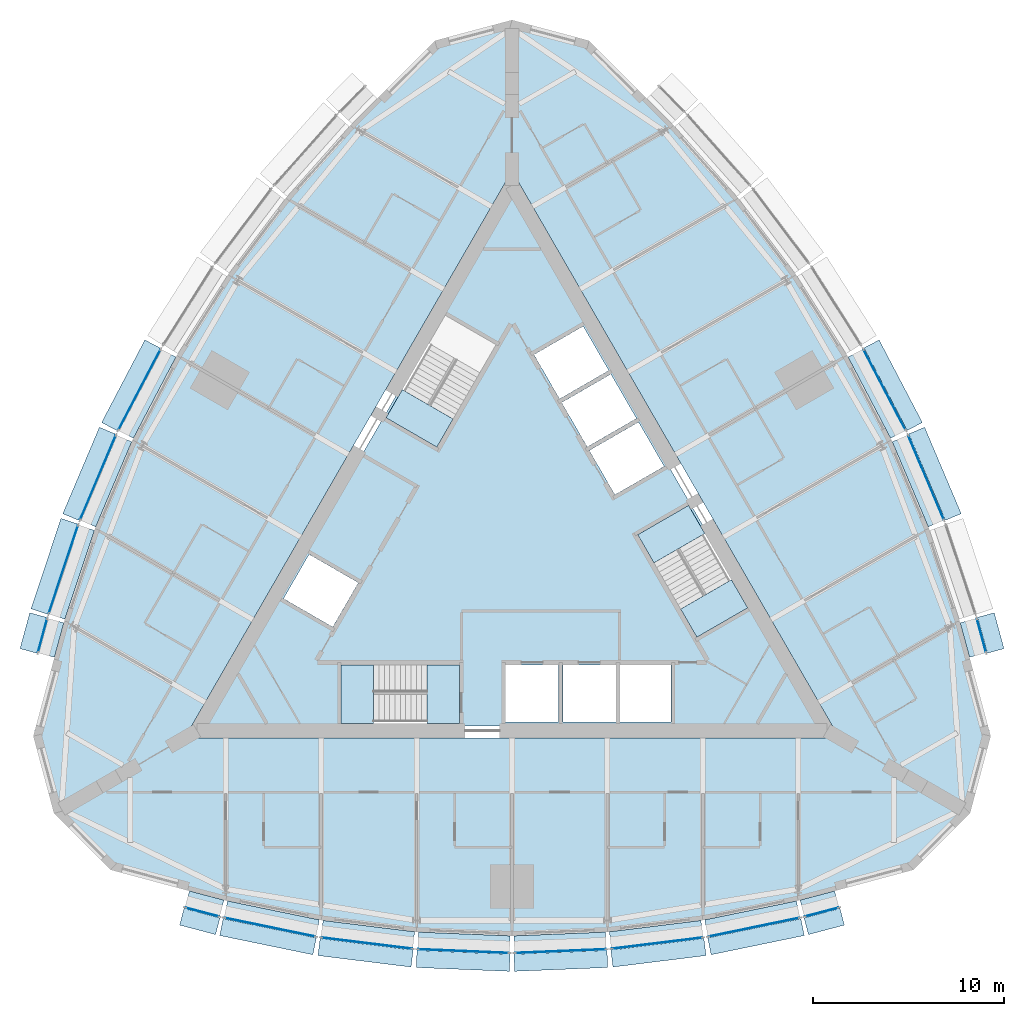
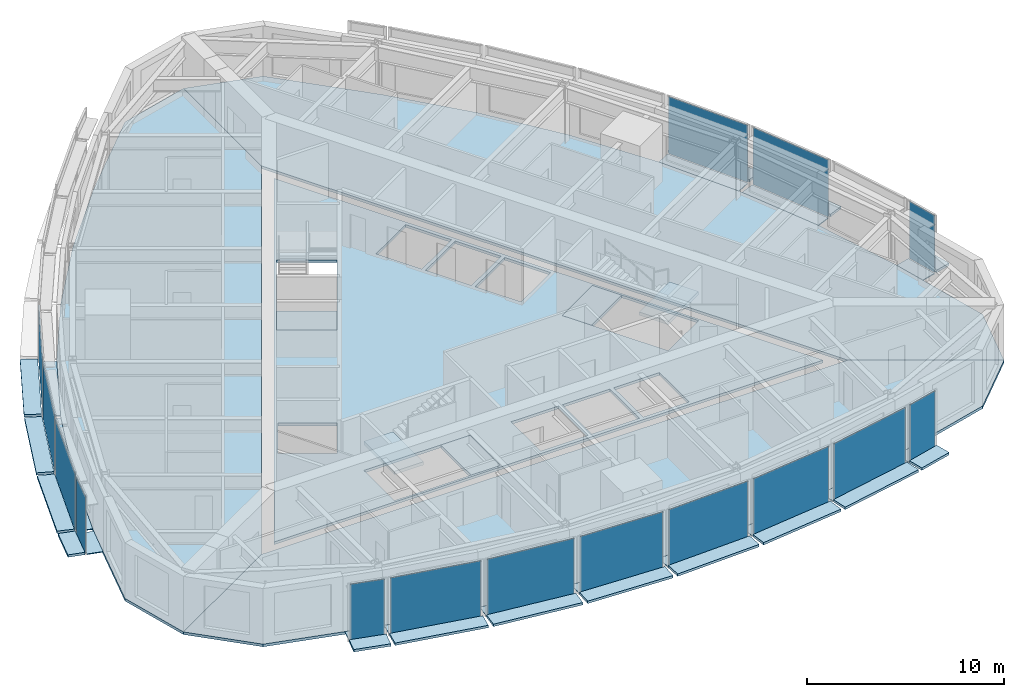
# One storey, part 7 of 15: 45 plates, 9 slabs, 18 elements without a shape of their own.
"""IFC4 building model written with IfcOpenShell, lengths in metres."""

import ifcopenshell
import ifcopenshell.guid

model = None  # the IFC model being written
_history = None  # IfcOwnerHistory: only IFC2X3 demands one
_inside = {}  # id of a spatial element -> (the spatial element, [elements in it])
_under = {}  # id of a project, library or spatial element -> (it, [spatial elements below it])
_declared = {}  # id of a project -> (the project, [libraries it declares])
_typed = {}  # id of a type object -> (the type object, [elements of that type])
_made_of = {}  # id of a material, layer set ... -> (it, [elements and type objects made of it])


def new_model(schema):
    """Start an empty IFC model of exactly this schema.

    Asked for "IFC4X3", IfcOpenShell would pick the latest addendum, in which some entities
    have other attributes; the version numbers below select the first issue.
    IFC2X3 requires an IfcOwnerHistory on every rooted entity: one is made here for all.
    """
    global model, _history
    if schema == "IFC4X3":
        model = ifcopenshell.file(schema_version=(4, 3, 0, 0))
    else:
        model = ifcopenshell.file(schema=schema)
    _inside.clear()
    _under.clear()
    _declared.clear()
    _typed.clear()
    _made_of.clear()
    _history = None
    if model.schema == "IFC2X3":
        org = make("IfcOrganization", Name="unknown")
        user = make(
            "IfcPersonAndOrganization",
            ThePerson=make("IfcPerson", FamilyName="unknown"),
            TheOrganization=org,
        )
        app = make(
            "IfcApplication",
            ApplicationDeveloper=org,
            Version="unknown",
            ApplicationFullName="unknown",
            ApplicationIdentifier="unknown",
        )
        _history = make(
            "IfcOwnerHistory",
            OwningUser=user,
            OwningApplication=app,
            ChangeAction="ADDED",
            CreationDate=0,
        )
    return model


def make(cls, **values):
    """One entity of the class cls with the attributes given. An attribute that is None is left unset."""
    return model.create_entity(
        cls, **{name: value for name, value in values.items() if value is not None}
    )


def rooted(cls, **values):
    """An entity with a GlobalId (a new one), such as an element, a storey or a relation."""
    return make(cls, GlobalId=ifcopenshell.guid.new(), OwnerHistory=_history, **values)


def si_unit(unit_type, name, prefix=None):
    """IfcSIUnit, for example si_unit("LENGTHUNIT", "METRE", prefix="MILLI")."""
    return make("IfcSIUnit", UnitType=unit_type, Prefix=prefix, Name=name)


def assignment(units):
    """IfcUnitAssignment: the units of a project."""
    return None if units is None else make("IfcUnitAssignment", Units=units)


def point(xyz):
    """IfcCartesianPoint."""
    return None if xyz is None else make("IfcCartesianPoint", Coordinates=xyz)


def direction(xyz):
    """IfcDirection."""
    return None if xyz is None else make("IfcDirection", DirectionRatios=xyz)


def frame(location, z_axis=None, x_axis=None):
    """IfcAxis2Placement3D, a coordinate frame: its origin and axes. An axis left out is left unset."""
    return make(
        "IfcAxis2Placement3D",
        Location=point(location),
        Axis=direction(z_axis),
        RefDirection=direction(x_axis),
    )


def frame_2d(location, x_axis=None):
    """IfcAxis2Placement2D, a coordinate frame in the plane: its origin and x axis."""
    return make(
        "IfcAxis2Placement2D", Location=point(location), RefDirection=direction(x_axis)
    )


def origin():
    """The frame at (0, 0, 0) with its axes left unset."""
    return frame((0.0, 0.0, 0.0))


def origin_2d():
    """The frame at (0, 0) in the plane with its x axis left unset."""
    return frame_2d((0.0, 0.0))


def place(relative_to, where):
    """IfcLocalPlacement: puts the frame where relative to a parent placement (None: the world)."""
    return make(
        "IfcLocalPlacement", PlacementRelTo=relative_to, RelativePlacement=where
    )


def context(
    kind, dimensions, precision=None, world=None, true_north=None, identifier=None
):
    """IfcGeometricRepresentationContext, for example the 3D "Model" context."""
    return make(
        "IfcGeometricRepresentationContext",
        ContextIdentifier=identifier,
        ContextType=kind,
        CoordinateSpaceDimension=dimensions,
        Precision=precision,
        WorldCoordinateSystem=world,
        TrueNorth=true_north,
    )


def subcontext(parent, identifier, kind, view, scale=None):
    """IfcGeometricRepresentationSubContext, for example "Body" below "Model"."""
    return make(
        "IfcGeometricRepresentationSubContext",
        ContextIdentifier=identifier,
        ContextType=kind,
        ParentContext=parent,
        TargetScale=scale,
        TargetView=view,
    )


def project(units=None, contexts=None):
    """IfcProject with its units and contexts."""
    return rooted(
        "IfcProject",
        Name="project",
        RepresentationContexts=contexts,
        UnitsInContext=assignment(units),
    )


def spatial(cls, under=None, at=None, **own):
    """A site, building, storey or space (cls), placed at a placement, below another one or the project."""
    s = rooted(cls, ObjectPlacement=at, **own)
    if under is not None:
        _under.setdefault(under.id(), (under, []))[1].append(s)
    return s


def polyline(points):
    """IfcPolyline through the points."""
    return make("IfcPolyline", Points=[point(p) for p in points])


def profile(cls, at=None, kind="AREA", **sizes):
    """A parametric profile (cls). Its sizes go by their IFC names, for example OverallWidth=200.0."""
    return make(cls, ProfileType=kind, Position=at, **sizes)


def rectangle(**sizes):
    """IfcRectangleProfileDef."""
    return profile("IfcRectangleProfileDef", **sizes)


def outline(outer, holes=None, kind="AREA"):
    """IfcArbitraryClosedProfileDef: a profile drawn as a closed curve; with holes, ...WithVoids."""
    if holes is None:
        return make("IfcArbitraryClosedProfileDef", ProfileType=kind, OuterCurve=outer)
    return make(
        "IfcArbitraryProfileDefWithVoids",
        ProfileType=kind,
        OuterCurve=outer,
        InnerCurves=holes,
    )


def extrude(swept, where, along, depth):
    """IfcExtrudedAreaSolid: the profile swept, set in the frame where, extruded along a direction by depth."""
    return make(
        "IfcExtrudedAreaSolid",
        SweptArea=swept,
        Position=where,
        ExtrudedDirection=direction(along),
        Depth=depth,
    )


def shape(context_of_items, identifier, shape_type, items):
    """IfcShapeRepresentation: the items that make up one representation, for example the "Body"."""
    return make(
        "IfcShapeRepresentation",
        ContextOfItems=context_of_items,
        RepresentationIdentifier=identifier,
        RepresentationType=shape_type,
        Items=items,
    )


def material(Name=None, Category=None):
    """IfcMaterial."""
    return make("IfcMaterial", Name=Name, Category=Category)


def layer(
    of_material, thickness, ventilated=None, Name=None, Category=None, Priority=None
):
    """IfcMaterialLayer: one layer of a wall or slab, of a material (None: an air gap)."""
    return make(
        "IfcMaterialLayer",
        Material=of_material,
        LayerThickness=thickness,
        IsVentilated=ventilated,
        Name=Name,
        Category=Category,
        Priority=Priority,
    )


def layer_set(layers, Name=None):
    """IfcMaterialLayerSet."""
    return make("IfcMaterialLayerSet", MaterialLayers=layers, LayerSetName=Name)


def made_of(thing, what):
    """Note that an element or type object is made of a material, layer set ...; save() writes the relation."""
    if what is not None:
        _made_of.setdefault(what.id(), (what, []))[1].append(thing)
    return thing


def type_object(cls, material=None, **own):
    """A type object (cls), such as IfcWallType, which elements share."""
    return made_of(rooted(cls, **own), material)


def element(
    cls,
    number,
    at=None,
    inside=None,
    cuts=None,
    type_object=None,
    material=None,
    context=None,
    identifier="Body",
    shape_type=None,
    held_by="IfcProductDefinitionShape",
    body=None,
    shapes=None,
    **own,
):
    """One element of the class cls, such as IfcWall. Its Tag is "e" and its number.

    at: its placement. inside: the storey or other place that contains it. cuts: it is an
    opening in that element (IfcRelVoidsElement). A single representation is given by context,
    identifier, shape_type and body (its items); several are given by shapes. held_by: the class
    of the entity that holds the representations. save() writes the other relations.
    """
    e = rooted(cls, Tag="e%d" % number, ObjectPlacement=at, **own)
    if body is not None:
        shapes = [shape(context, identifier, shape_type, body)]
    if shapes is not None:
        e.Representation = make(held_by, Representations=shapes)
    if inside is not None:
        _inside.setdefault(inside.id(), (inside, []))[1].append(e)
    if cuts is not None:
        rooted(
            "IfcRelVoidsElement", RelatingBuildingElement=cuts, RelatedOpeningElement=e
        )
    if type_object is not None:
        _typed.setdefault(type_object.id(), (type_object, []))[1].append(e)
    return made_of(e, material)


def aggregate(whole, parts):
    """IfcRelAggregates: a whole, such as a stair, and the parts it consists of."""
    return rooted("IfcRelAggregates", RelatingObject=whole, RelatedObjects=parts)


def save(model, path):
    """Write the relations noted so far, then the file.

    IfcRelAggregates (storeys below a building ...), IfcRelContainedInSpatialStructure (elements
    in a storey), IfcRelDefinesByType, IfcRelAssociatesMaterial and IfcRelDeclares: one each for
    every whole, place, type object, material and project.
    """
    for whole, parts in _under.values():
        aggregate(whole, parts)
    for where, things in _inside.values():
        rooted(
            "IfcRelContainedInSpatialStructure",
            RelatedElements=things,
            RelatingStructure=where,
        )
    for kind, things in _typed.values():
        rooted("IfcRelDefinesByType", RelatedObjects=things, RelatingType=kind)
    for what, things in _made_of.values():
        rooted("IfcRelAssociatesMaterial", RelatedObjects=things, RelatingMaterial=what)
    for by, libraries in _declared.values():
        rooted("IfcRelDeclares", RelatingContext=by, RelatedDefinitions=libraries)
    model.write(path)


model = new_model("IFC4")

# Units and contexts
model_context = context("Model", 3, precision=1e-05, world=origin(), true_north=direction((0.0, 1.0)))
body_context = subcontext(model_context, "Body", "Model", "MODEL_VIEW")
ifc_project = project(units=[si_unit("LENGTHUNIT", "METRE"), si_unit("AREAUNIT", "SQUARE_METRE"), si_unit("VOLUMEUNIT", "CUBIC_METRE"), si_unit("PLANEANGLEUNIT", "RADIAN"), si_unit("MASSUNIT", "GRAM", prefix="KILO")], contexts=[model_context])

# Site, building, storey
site_placement = place(None, origin())
site = spatial("IfcSite", under=ifc_project, at=site_placement, CompositionType="ELEMENT")
building_placement = place(site_placement, origin())
building = spatial("IfcBuilding", under=site, at=building_placement, Name="Trikona Tower", CompositionType="ELEMENT")
storey_placement = place(building_placement, frame((0.0, 0.0, 226.10009765625)))
storey = spatial("IfcBuildingStorey", under=building, at=storey_placement, Name="L60", CompositionType="ELEMENT", Elevation=226.10009765625)

# Plates
ifc_material_1 = material(Name="Aluminium bar grating", Category="aluminium")
ifc_layer_1 = layer(ifc_material_1, 0.050048828125)
ifc_layer_set_1 = layer_set([ifc_layer_1], Name="Cavity catwalk grating")
plate_type_1 = type_object("IfcPlateType", Name="Cavity catwalk grating", PredefinedType="USERDEFINED", material=ifc_layer_set_1)
plate_1_placement = place(storey_placement, frame((-16.10693359375, -18.5673828125, -0.05029296875), z_axis=(0.0, 0.0, 1.0), x_axis=(0.966993038714, -0.254802792527, 0.0)))
element("IfcPlate", 1, at=plate_1_placement, inside=storey, type_object=plate_type_1, Name="Cavity catwalk L60-00", ObjectType="CATWALK GRATING", PredefinedType="USERDEFINED", context=body_context, shape_type="SweptSolid", body=[
    extrude(rectangle(XDim=1.868408203125, YDim=0.840087890625, at=origin_2d()), origin(), (0.0, 0.0, 1.0), 0.050048828125),
])
plate_2_placement = place(storey_placement, frame((-12.584716796875, -19.35107421875, -0.05029296875), z_axis=(0.0, 0.0, 1.0), x_axis=(0.979457514864, -0.201650629992, 0.0)))
element("IfcPlate", 2, at=plate_2_placement, inside=storey, type_object=plate_type_1, Name="Cavity catwalk L60-01", ObjectType="CATWALK GRATING", PredefinedType="USERDEFINED", context=body_context, shape_type="SweptSolid", body=[
    extrude(rectangle(XDim=4.90478515625, YDim=0.840087890625, at=origin_2d()), origin(), (0.0, 0.0, 1.0), 0.050048828125),
])
plate_3_placement = place(storey_placement, frame((-7.551513671875, -20.179931640625, -0.05029296875), z_axis=(0.0, 0.0, 1.0), x_axis=(0.992455266199, -0.122607277901, 0.0)))
element("IfcPlate", 3, at=plate_3_placement, inside=storey, type_object=plate_type_1, Name="Cavity catwalk L60-02", ObjectType="CATWALK GRATING", PredefinedType="USERDEFINED", context=body_context, shape_type="SweptSolid", body=[
    extrude(rectangle(XDim=4.837890625, YDim=0.840087890625, at=origin_2d()), origin(), (0.0, 0.0, 1.0), 0.050048828125),
])
for number, where, z_axis, x_axis, name in (
    (4, (-2.517333984375, -20.594482421875, -0.05029296875), (0.0, 0.0, 1.0), (0.999153186307, -0.041144991109, 0.0), "Cavity catwalk L60-03"),
    (5, (2.517333984375, -20.594482421875, -0.05029296875), (0.0, 0.0, 1.0), (0.999153186307, 0.041144991109, 0.0), "Cavity catwalk L60-04"),
):
    element("IfcPlate", number, at=place(storey_placement, frame(where, z_axis=z_axis, x_axis=x_axis)), inside=storey, type_object=plate_type_1, Name=name, ObjectType="CATWALK GRATING", PredefinedType="USERDEFINED", context=body_context, shape_type="SweptSolid", body=[
        extrude(rectangle(XDim=4.80419921875, YDim=0.840087890625, at=origin_2d()), origin(), (0.0, 0.0, 1.0), 0.050048828125),
    ])
plate_4_placement = place(storey_placement, frame((7.551513671875, -20.179931640625, -0.05029296875), z_axis=(0.0, 0.0, 1.0), x_axis=(0.992455266199, 0.122607277901, 0.0)))
element("IfcPlate", 6, at=plate_4_placement, inside=storey, type_object=plate_type_1, Name="Cavity catwalk L60-05", ObjectType="CATWALK GRATING", PredefinedType="USERDEFINED", context=body_context, shape_type="SweptSolid", body=[
    extrude(rectangle(XDim=4.837890625, YDim=0.840087890625, at=origin_2d()), origin(), (0.0, 0.0, 1.0), 0.050048828125),
])
plate_5_placement = place(storey_placement, frame((12.584716796875, -19.35107421875, -0.05029296875), z_axis=(0.0, 0.0, 1.0), x_axis=(0.979457514864, 0.201650629992, 0.0)))
element("IfcPlate", 7, at=plate_5_placement, inside=storey, type_object=plate_type_1, Name="Cavity catwalk L60-06", ObjectType="CATWALK GRATING", PredefinedType="USERDEFINED", context=body_context, shape_type="SweptSolid", body=[
    extrude(rectangle(XDim=4.90478515625, YDim=0.840087890625, at=origin_2d()), origin(), (0.0, 0.0, 1.0), 0.050048828125),
])
for number, where, z_axis, x_axis, name in (
    (8, (16.10693359375, -18.5673828125, -0.05029296875), (0.0, 0.0, 1.0), (0.966993038714, 0.254802792527, 0.0), "Cavity catwalk L60-07"),
    (9, (24.13330078125, -4.665283203125, -0.05029296875), (0.0, 0.0, 1.0), (-0.262822408229, 0.964844226667, 0.0), "Cavity catwalk L60-12"),
):
    element("IfcPlate", number, at=place(storey_placement, frame(where, z_axis=z_axis, x_axis=x_axis)), inside=storey, type_object=plate_type_1, Name=name, ObjectType="CATWALK GRATING", PredefinedType="USERDEFINED", context=body_context, shape_type="SweptSolid", body=[
        extrude(rectangle(XDim=1.868408203125, YDim=0.840087890625, at=origin_2d()), origin(), (0.0, 0.0, 1.0), 0.050048828125),
    ])
plate_6_placement = place(storey_placement, frame((21.252197265625, 3.55029296875, -0.05029296875), z_axis=(0.0, 0.0, 1.0), x_axis=(-0.390051437015, 0.920793069306, 0.0)))
element("IfcPlate", 10, at=plate_6_placement, inside=storey, type_object=plate_type_1, Name="Cavity catwalk L60-14", ObjectType="CATWALK GRATING", PredefinedType="USERDEFINED", context=body_context, shape_type="SweptSolid", body=[
    extrude(rectangle(XDim=4.837890625, YDim=0.840087890625, at=origin_2d()), origin(), (0.0, 0.0, 1.0), 0.050048828125),
])
for number, where, z_axis, x_axis, name in (
    (11, (19.093994140625, 8.1171875, -0.05029296875), (0.0, 0.0, 1.0), (-0.463951716224, 0.885860488459, 0.0), "Cavity catwalk L60-15"),
    (12, (-19.093994140625, 8.1171875, -0.05029296875), (0.0, 0.0, 1.0), (-0.463951716224, -0.885860488459, 0.0), "Cavity catwalk L60-28"),
):
    element("IfcPlate", number, at=place(storey_placement, frame(where, z_axis=z_axis, x_axis=x_axis)), inside=storey, type_object=plate_type_1, Name=name, ObjectType="CATWALK GRATING", PredefinedType="USERDEFINED", context=body_context, shape_type="SweptSolid", body=[
        extrude(rectangle(XDim=4.80419921875, YDim=0.840087890625, at=origin_2d()), origin(), (0.0, 0.0, 1.0), 0.050048828125),
    ])
plate_7_placement = place(storey_placement, frame((-21.252197265625, 3.55029296875, -0.05029296875), z_axis=(0.0, 0.0, 1.0), x_axis=(-0.390051437015, -0.920793069306, 0.0)))
element("IfcPlate", 13, at=plate_7_placement, inside=storey, type_object=plate_type_1, Name="Cavity catwalk L60-29", ObjectType="CATWALK GRATING", PredefinedType="USERDEFINED", context=body_context, shape_type="SweptSolid", body=[
    extrude(rectangle(XDim=4.837890625, YDim=0.840087890625, at=origin_2d()), origin(), (0.0, 0.0, 1.0), 0.050048828125),
])
plate_8_placement = place(storey_placement, frame((-23.05078125, -1.22314453125, -0.05029296875), z_axis=(0.0, 0.0, 1.0), x_axis=(-0.315092532747, -0.949060954737, 0.0)))
element("IfcPlate", 14, at=plate_8_placement, inside=storey, type_object=plate_type_1, Name="Cavity catwalk L60-30", ObjectType="CATWALK GRATING", PredefinedType="USERDEFINED", context=body_context, shape_type="SweptSolid", body=[
    extrude(rectangle(XDim=4.90478515625, YDim=0.840087890625, at=origin_2d()), origin(), (0.0, 0.0, 1.0), 0.050048828125),
])
plate_9_placement = place(storey_placement, frame((-24.13330078125, -4.665283203125, -0.05029296875), z_axis=(0.0, 0.0, 1.0), x_axis=(-0.262822408229, -0.964844226667, 0.0)))
element("IfcPlate", 15, at=plate_9_placement, inside=storey, type_object=plate_type_1, Name="Cavity catwalk L60-31", ObjectType="CATWALK GRATING", PredefinedType="USERDEFINED", context=body_context, shape_type="SweptSolid", body=[
    extrude(rectangle(XDim=1.868408203125, YDim=0.840087890625, at=origin_2d()), origin(), (0.0, 0.0, 1.0), 0.050048828125),
])

# Slabs
ifc_material_2 = material(Name="Concrete f'c 5000 psi lightweight on composite steel deck", Category="concrete")
ifc_layer_2 = layer(ifc_material_2, 0.1650390625)
ifc_layer_set_2 = layer_set([ifc_layer_2], Name="Composite floor slab 165")
slab_type_1 = type_object("IfcSlabType", Name="Composite floor slab 165", PredefinedType="FLOOR", material=ifc_layer_set_2)
slab_1_placement = place(storey_placement, frame((0.0, 0.0, -0.1650390625)))
element("IfcSlab", 16, at=slab_1_placement, inside=storey, type_object=slab_type_1, Name="Floor slab L60 core", PredefinedType="FLOOR", context=body_context, shape_type="SweptSolid", body=[
    extrude(outline(polyline([(-16.06689453125, -9.2763671875), (16.06689453125, -9.2763671875), (0.0, 18.552490234375), (-16.06689453125, -9.2763671875)]), holes=[polyline([(6.587158203125, 0.7431640625), (9.687255859375, -4.626220703125), (12.35009765625, -3.088623046875), (9.250244140625, 2.28076171875), (6.587158203125, 0.7431640625)]), polyline([(5.659912109375, -6.086181640625), (5.659912109375, -9.06640625), (8.340087890625, -9.06640625), (8.340087890625, -6.086181640625), (5.659912109375, -6.086181640625)]), polyline([(6.631591796875, 6.646240234375), (4.05078125, 5.15625), (5.390869140625, 2.835205078125), (7.9716796875, 4.3251953125), (6.631591796875, 6.646240234375)]), polyline([(6.521484375, 6.8369140625), (5.181640625, 9.15771484375), (2.600830078125, 7.667724609375), (3.94091796875, 5.3466796875), (6.521484375, 6.8369140625)]), polyline([(2.659912109375, -9.06640625), (5.43994140625, -9.06640625), (5.43994140625, -6.086181640625), (2.659912109375, -6.086181640625), (2.659912109375, -9.06640625)]), polyline([(2.490966796875, 7.858154296875), (5.071533203125, 9.34814453125), (3.731689453125, 11.669189453125), (1.15087890625, 10.17919921875), (2.490966796875, 7.858154296875)]), polyline([(2.43994140625, -9.06640625), (2.43994140625, -6.086181640625), (-0.340087890625, -6.086181640625), (-0.340087890625, -9.06640625), (2.43994140625, -9.06640625)]), polyline([(-3.937255859375, 5.3330078125), (-0.837158203125, 10.702392578125), (-3.500244140625, 12.239990234375), (-6.60009765625, 6.87060546875), (-3.937255859375, 5.3330078125)]), polyline([(-2.75, -6.076416015625), (-8.949951171875, -6.076416015625), (-8.949951171875, -9.1513671875), (-2.75, -9.1513671875), (-2.75, -6.076416015625)]), polyline([(-11.9716796875, -2.602783203125), (-9.390869140625, -4.093017578125), (-8.05078125, -1.77197265625), (-10.631591796875, -0.281982421875), (-11.9716796875, -2.602783203125)])]), origin(), (0.0, 0.0, 1.0), 0.1650390625),
])
slab_2_placement = place(storey_placement, frame((0.0, 0.0, -0.1650390625)))
element("IfcSlab", 17, at=slab_2_placement, inside=storey, type_object=slab_type_1, Name="Floor slab L60 south", PredefinedType="FLOOR", context=body_context, shape_type="SweptSolid", body=[
    extrude(outline(polyline([(21.04150390625, -16.81494140625), (24.0, -13.8564453125), (17.1494140625, -9.9013671875), (-17.1494140625, -9.9013671875), (-24.0, -13.8564453125), (-21.04150390625, -16.81494140625), (-17.0, -17.89794921875), (-15.0, -18.4248046875), (-10.0, -19.454345703125), (-5.0, -20.072021484375), (0.0, -20.27783203125), (5.0, -20.072021484375), (10.0, -19.454345703125), (15.0, -18.4248046875), (17.0, -17.89794921875), (21.04150390625, -16.81494140625)])), origin(), (0.0, 0.0, 1.0), 0.1650390625),
])
slab_3_placement = place(storey_placement, frame((0.0, 0.0, -0.1650390625)))
element("IfcSlab", 18, at=slab_3_placement, inside=storey, type_object=slab_type_1, Name="Floor slab L60 north-east", PredefinedType="FLOOR", context=body_context, shape_type="SweptSolid", body=[
    extrude(outline(polyline([(4.04150390625, 26.6298828125), (0.0, 27.712890625), (0.0, 19.802490234375), (17.1494140625, -9.9013671875), (24.0, -13.8564453125), (25.0830078125, -9.81494140625), (24.0, -5.7734375), (23.456298828125, -3.77783203125), (21.847900390625, 1.06689453125), (19.8828125, 5.705810546875), (17.56103515625, 10.138916015625), (14.8828125, 14.3662109375), (11.847900390625, 18.387451171875), (8.456298828125, 22.202880859375), (7.0, 23.67138671875), (4.04150390625, 26.6298828125)])), origin(), (0.0, 0.0, 1.0), 0.1650390625),
])
slab_4_placement = place(storey_placement, frame((0.0, 0.0, -0.1650390625)))
element("IfcSlab", 19, at=slab_4_placement, inside=storey, type_object=slab_type_1, Name="Floor slab L60 north-west", PredefinedType="FLOOR", context=body_context, shape_type="SweptSolid", body=[
    extrude(outline(polyline([(-7.0, 23.67138671875), (-8.456298828125, 22.202880859375), (-11.847900390625, 18.387451171875), (-14.8828125, 14.3662109375), (-17.56103515625, 10.138916015625), (-19.8828125, 5.705810546875), (-21.847900390625, 1.06689453125), (-23.456298828125, -3.77783203125), (-24.0, -5.7734375), (-25.0830078125, -9.81494140625), (-24.0, -13.8564453125), (-17.1494140625, -9.9013671875), (0.0, 19.802490234375), (0.0, 27.712890625), (-4.04150390625, 26.6298828125), (-7.0, 23.67138671875)])), origin(), (0.0, 0.0, 1.0), 0.1650390625),
])

# Curtain wall, plate
ifc_material_3 = material(Name="Aluminium curtain wall system", Category="aluminium")
curtain_wall_type = type_object("IfcCurtainWallType", Name="Curtain wall DS3", PredefinedType="NOTDEFINED", material=ifc_material_3)
curtain_wall_1_placement = place(storey_placement, origin())
curtain_wall_1 = element("IfcCurtainWall", 20, at=curtain_wall_1_placement, inside=storey, type_object=curtain_wall_type, Name="Curtain wall DS3 L60", PredefinedType="NOTDEFINED")
ifc_material_4 = material(Name="Laminated clear glass", Category="glass")
ifc_layer_3 = layer(ifc_material_4, 0.028076171875)
ifc_layer_set_3 = layer_set([ifc_layer_3], Name="Glass panel DS3")
plate_type_2 = type_object("IfcPlateType", Name="Glass panel DS3", PredefinedType="CURTAIN_PANEL", material=ifc_layer_set_3)
plate_10_placement = place(storey_placement, frame((-16.229248046875, -19.03173828125, 0.0), z_axis=(0.0, 0.0, 1.0), x_axis=(0.966997369647, -0.25478635579, 0.0)))
plate_10 = element("IfcPlate", 21, at=plate_10_placement, type_object=plate_type_2, Name="CW-DS3 panel 1.1", PredefinedType="CURTAIN_PANEL", context=body_context, shape_type="SweptSolid", body=[
    extrude(rectangle(XDim=1.808349609375, YDim=0.028076171875, at=origin_2d()), origin(), (0.0, 0.0, 1.0), 3.530029296875),
])
aggregate(curtain_wall_1, [plate_10])

curtain_wall_2_placement = place(storey_placement, origin())
curtain_wall_2 = element("IfcCurtainWall", 22, at=curtain_wall_2_placement, inside=storey, type_object=curtain_wall_type, Name="Curtain wall DS3 L60", PredefinedType="NOTDEFINED")
plate_11_placement = place(storey_placement, frame((-12.681396484375, -19.821044921875, 0.0), z_axis=(0.0, 0.0, 1.0), x_axis=(0.979457043256, -0.201652920672, 0.0)))
plate_11 = element("IfcPlate", 23, at=plate_11_placement, type_object=plate_type_2, Name="CW-DS3 panel 1.1", PredefinedType="CURTAIN_PANEL", context=body_context, shape_type="SweptSolid", body=[
    extrude(rectangle(XDim=4.8447265625, YDim=0.028076171875, at=origin_2d()), origin(), (0.0, 0.0, 1.0), 3.530029296875),
])
aggregate(curtain_wall_2, [plate_11])

curtain_wall_3_placement = place(storey_placement, origin())
curtain_wall_3 = element("IfcCurtainWall", 24, at=curtain_wall_3_placement, inside=storey, type_object=curtain_wall_type, Name="Curtain wall DS3 L60", PredefinedType="NOTDEFINED")
plate_12_placement = place(storey_placement, frame((-7.6103515625, -20.656494140625, 0.0), z_axis=(0.0, 0.0, 1.0), x_axis=(0.992454850785, -0.122610640458, 0.0)))
plate_12 = element("IfcPlate", 25, at=plate_12_placement, type_object=plate_type_2, Name="CW-DS3 panel 1.1", PredefinedType="CURTAIN_PANEL", context=body_context, shape_type="SweptSolid", body=[
    extrude(rectangle(XDim=4.778076171875, YDim=0.028076171875, at=origin_2d()), origin(), (0.0, 0.0, 1.0), 3.530029296875),
])
aggregate(curtain_wall_3, [plate_12])

curtain_wall_4_placement = place(storey_placement, origin())
curtain_wall_4 = element("IfcCurtainWall", 26, at=curtain_wall_4_placement, inside=storey, type_object=curtain_wall_type, Name="Curtain wall DS3 L60", PredefinedType="NOTDEFINED")
plate_13_placement = place(storey_placement, frame((-2.537109375, -21.07421875, 0.0), z_axis=(0.0, 0.0, 1.0), x_axis=(0.999152865157, -0.04115278907, 0.0)))
plate_13 = element("IfcPlate", 27, at=plate_13_placement, type_object=plate_type_2, Name="CW-DS3 panel 1.1", PredefinedType="CURTAIN_PANEL", context=body_context, shape_type="SweptSolid", body=[
    extrude(rectangle(XDim=4.744140625, YDim=0.028076171875, at=origin_2d()), origin(), (0.0, 0.0, 1.0), 3.530029296875),
])
aggregate(curtain_wall_4, [plate_13])

curtain_wall_5_placement = place(storey_placement, origin())
curtain_wall_5 = element("IfcCurtainWall", 28, at=curtain_wall_5_placement, inside=storey, type_object=curtain_wall_type, Name="Curtain wall DS3 L60", PredefinedType="NOTDEFINED")
plate_14_placement = place(storey_placement, frame((2.537109375, -21.07421875, 0.0), z_axis=(0.0, 0.0, 1.0), x_axis=(0.999152865157, 0.04115278907, 0.0)))
plate_14 = element("IfcPlate", 29, at=plate_14_placement, type_object=plate_type_2, Name="CW-DS3 panel 1.1", PredefinedType="CURTAIN_PANEL", context=body_context, shape_type="SweptSolid", body=[
    extrude(rectangle(XDim=4.744140625, YDim=0.028076171875, at=origin_2d()), origin(), (0.0, 0.0, 1.0), 3.530029296875),
])
aggregate(curtain_wall_5, [plate_14])

curtain_wall_6_placement = place(storey_placement, origin())
curtain_wall_6 = element("IfcCurtainWall", 30, at=curtain_wall_6_placement, inside=storey, type_object=curtain_wall_type, Name="Curtain wall DS3 L60", PredefinedType="NOTDEFINED")
plate_15_placement = place(storey_placement, frame((7.6103515625, -20.656494140625, 0.0), z_axis=(0.0, 0.0, 1.0), x_axis=(0.992454850785, 0.122610640458, 0.0)))
plate_15 = element("IfcPlate", 31, at=plate_15_placement, type_object=plate_type_2, Name="CW-DS3 panel 1.1", PredefinedType="CURTAIN_PANEL", context=body_context, shape_type="SweptSolid", body=[
    extrude(rectangle(XDim=4.778076171875, YDim=0.028076171875, at=origin_2d()), origin(), (0.0, 0.0, 1.0), 3.530029296875),
])
aggregate(curtain_wall_6, [plate_15])

curtain_wall_7_placement = place(storey_placement, origin())
curtain_wall_7 = element("IfcCurtainWall", 32, at=curtain_wall_7_placement, inside=storey, type_object=curtain_wall_type, Name="Curtain wall DS3 L60", PredefinedType="NOTDEFINED")
plate_16_placement = place(storey_placement, frame((12.681396484375, -19.821044921875, 0.0), z_axis=(0.0, 0.0, 1.0), x_axis=(0.979457043256, 0.201652920672, 0.0)))
plate_16 = element("IfcPlate", 33, at=plate_16_placement, type_object=plate_type_2, Name="CW-DS3 panel 1.1", PredefinedType="CURTAIN_PANEL", context=body_context, shape_type="SweptSolid", body=[
    extrude(rectangle(XDim=4.8447265625, YDim=0.028076171875, at=origin_2d()), origin(), (0.0, 0.0, 1.0), 3.530029296875),
])
aggregate(curtain_wall_7, [plate_16])

curtain_wall_8_placement = place(storey_placement, origin())
curtain_wall_8 = element("IfcCurtainWall", 34, at=curtain_wall_8_placement, inside=storey, type_object=curtain_wall_type, Name="Curtain wall DS3 L60", PredefinedType="NOTDEFINED")
plate_17_placement = place(storey_placement, frame((16.229248046875, -19.03173828125, 0.0), z_axis=(0.0, 0.0, 1.0), x_axis=(0.966997369647, 0.25478635579, 0.0)))
plate_17 = element("IfcPlate", 35, at=plate_17_placement, type_object=plate_type_2, Name="CW-DS3 panel 1.1", PredefinedType="CURTAIN_PANEL", context=body_context, shape_type="SweptSolid", body=[
    extrude(rectangle(XDim=1.808349609375, YDim=0.028076171875, at=origin_2d()), origin(), (0.0, 0.0, 1.0), 3.530029296875),
])
aggregate(curtain_wall_8, [plate_17])

curtain_wall_9_placement = place(storey_placement, origin())
curtain_wall_9 = element("IfcCurtainWall", 36, at=curtain_wall_9_placement, inside=storey, type_object=curtain_wall_type, Name="Curtain wall DS3 L60", PredefinedType="NOTDEFINED")
plate_18_placement = place(storey_placement, frame((24.596435546875, -4.539306640625, 0.0), z_axis=(0.0, 0.0, 1.0), x_axis=(-0.262843784676, 0.964838403494, 0.0)))
plate_18 = element("IfcPlate", 37, at=plate_18_placement, type_object=plate_type_2, Name="CW-DS3 panel 1.1", PredefinedType="CURTAIN_PANEL", context=body_context, shape_type="SweptSolid", body=[
    extrude(rectangle(XDim=1.808349609375, YDim=0.028076171875, at=origin_2d()), origin(), (0.0, 0.0, 1.0), 3.530029296875),
])
aggregate(curtain_wall_9, [plate_18])

curtain_wall_10_placement = place(storey_placement, origin())
curtain_wall_10 = element("IfcCurtainWall", 38, at=curtain_wall_10_placement, inside=storey, type_object=curtain_wall_type, Name="Curtain wall DS3 L60", PredefinedType="NOTDEFINED")
plate_19_placement = place(storey_placement, frame((21.694091796875, 3.737548828125, 0.0), z_axis=(0.0, 0.0, 1.0), x_axis=(-0.390053199266, 0.920792322808, 0.0)))
plate_19 = element("IfcPlate", 39, at=plate_19_placement, type_object=plate_type_2, Name="CW-DS3 panel 1.1", PredefinedType="CURTAIN_PANEL", context=body_context, shape_type="SweptSolid", body=[
    extrude(rectangle(XDim=4.778076171875, YDim=0.028076171875, at=origin_2d()), origin(), (0.0, 0.0, 1.0), 3.530029296875),
])
aggregate(curtain_wall_10, [plate_19])

curtain_wall_11_placement = place(storey_placement, origin())
curtain_wall_11 = element("IfcCurtainWall", 40, at=curtain_wall_11_placement, inside=storey, type_object=curtain_wall_type, Name="Curtain wall DS3 L60", PredefinedType="NOTDEFINED")
plate_20_placement = place(storey_placement, frame((19.519287109375, 8.33984375, 0.0), z_axis=(0.0, 0.0, 1.0), x_axis=(-0.463948084434, 0.885862390527, 0.0)))
plate_20 = element("IfcPlate", 41, at=plate_20_placement, type_object=plate_type_2, Name="CW-DS3 panel 1.1", PredefinedType="CURTAIN_PANEL", context=body_context, shape_type="SweptSolid", body=[
    extrude(rectangle(XDim=4.744140625, YDim=0.028076171875, at=origin_2d()), origin(), (0.0, 0.0, 1.0), 3.530029296875),
])
aggregate(curtain_wall_11, [plate_20])

curtain_wall_12_placement = place(storey_placement, origin())
curtain_wall_12 = element("IfcCurtainWall", 42, at=curtain_wall_12_placement, inside=storey, type_object=curtain_wall_type, Name="Curtain wall DS3 L60", PredefinedType="NOTDEFINED")
plate_21_placement = place(storey_placement, frame((-19.519287109375, 8.33984375, 0.0), z_axis=(0.0, 0.0, 1.0), x_axis=(-0.463948084434, -0.885862390527, 0.0)))
plate_21 = element("IfcPlate", 43, at=plate_21_placement, type_object=plate_type_2, Name="CW-DS3 panel 1.1", PredefinedType="CURTAIN_PANEL", context=body_context, shape_type="SweptSolid", body=[
    extrude(rectangle(XDim=4.744140625, YDim=0.028076171875, at=origin_2d()), origin(), (0.0, 0.0, 1.0), 3.530029296875),
])
aggregate(curtain_wall_12, [plate_21])

curtain_wall_13_placement = place(storey_placement, origin())
curtain_wall_13 = element("IfcCurtainWall", 44, at=curtain_wall_13_placement, inside=storey, type_object=curtain_wall_type, Name="Curtain wall DS3 L60", PredefinedType="NOTDEFINED")
plate_22_placement = place(storey_placement, frame((-21.694091796875, 3.737548828125, 0.0), z_axis=(0.0, 0.0, 1.0), x_axis=(-0.390053199266, -0.920792322808, 0.0)))
plate_22 = element("IfcPlate", 45, at=plate_22_placement, type_object=plate_type_2, Name="CW-DS3 panel 1.1", PredefinedType="CURTAIN_PANEL", context=body_context, shape_type="SweptSolid", body=[
    extrude(rectangle(XDim=4.778076171875, YDim=0.028076171875, at=origin_2d()), origin(), (0.0, 0.0, 1.0), 3.530029296875),
])
aggregate(curtain_wall_13, [plate_22])

curtain_wall_14_placement = place(storey_placement, origin())
curtain_wall_14 = element("IfcCurtainWall", 46, at=curtain_wall_14_placement, inside=storey, type_object=curtain_wall_type, Name="Curtain wall DS3 L60", PredefinedType="NOTDEFINED")
plate_23_placement = place(storey_placement, frame((-23.50634765625, -1.072021484375, 0.0), z_axis=(0.0, 0.0, 1.0), x_axis=(-0.315078038687, -0.949065766708, 0.0)))
plate_23 = element("IfcPlate", 47, at=plate_23_placement, type_object=plate_type_2, Name="CW-DS3 panel 1.1", PredefinedType="CURTAIN_PANEL", context=body_context, shape_type="SweptSolid", body=[
    extrude(rectangle(XDim=4.8447265625, YDim=0.028076171875, at=origin_2d()), origin(), (0.0, 0.0, 1.0), 3.530029296875),
])
aggregate(curtain_wall_14, [plate_23])

curtain_wall_15_placement = place(storey_placement, origin())
curtain_wall_15 = element("IfcCurtainWall", 48, at=curtain_wall_15_placement, inside=storey, type_object=curtain_wall_type, Name="Curtain wall DS3 L60", PredefinedType="NOTDEFINED")
plate_24_placement = place(storey_placement, frame((-24.596435546875, -4.539306640625, 0.0), z_axis=(0.0, 0.0, 1.0), x_axis=(-0.262843784676, -0.964838403494, 0.0)))
plate_24 = element("IfcPlate", 49, at=plate_24_placement, type_object=plate_type_2, Name="CW-DS3 panel 1.1", PredefinedType="CURTAIN_PANEL", context=body_context, shape_type="SweptSolid", body=[
    extrude(rectangle(XDim=1.808349609375, YDim=0.028076171875, at=origin_2d()), origin(), (0.0, 0.0, 1.0), 3.530029296875),
])
aggregate(curtain_wall_15, [plate_24])

# Plates
ifc_material_5 = material(Name="Aluminium plate fin, pale anodised, on stainless steel outriggers", Category="steel")
ifc_layer_4 = layer(ifc_material_5, 0.14990234375)
ifc_layer_set_4 = layer_set([ifc_layer_4], Name="Outer skin fin 900")
plate_type_3 = type_object("IfcPlateType", Name="Outer skin fin 900", PredefinedType="USERDEFINED", material=ifc_layer_set_4)
plate_25_placement = place(storey_placement, frame((-16.359375, -19.52490234375, 0.0), z_axis=(0.0, 0.0, 1.0), x_axis=(0.966993038714, -0.254802792527, 0.0)))
element("IfcPlate", 50, at=plate_25_placement, inside=storey, type_object=plate_type_3, Name="Outer skin fin L60-00", ObjectType="FIN", PredefinedType="USERDEFINED", context=body_context, shape_type="SweptSolid", body=[
    extrude(rectangle(XDim=1.9482421875, YDim=0.89990234375, at=origin_2d()), origin(), (0.0, 0.0, 1.0), 0.14990234375),
])
plate_26_placement = place(storey_placement, frame((-12.7841796875, -20.320556640625, 0.0), z_axis=(0.0, 0.0, 1.0), x_axis=(0.979457514864, -0.201650629992, 0.0)))
element("IfcPlate", 51, at=plate_26_placement, inside=storey, type_object=plate_type_3, Name="Outer skin fin L60-01", ObjectType="FIN", PredefinedType="USERDEFINED", context=body_context, shape_type="SweptSolid", body=[
    extrude(rectangle(XDim=4.98486328125, YDim=0.89990234375, at=origin_2d()), origin(), (0.0, 0.0, 1.0), 0.14990234375),
])
plate_27_placement = place(storey_placement, frame((-7.6728515625, -21.16259765625, 0.0), z_axis=(0.0, 0.0, 1.0), x_axis=(0.992455266199, -0.122607277901, 0.0)))
element("IfcPlate", 52, at=plate_27_placement, inside=storey, type_object=plate_type_3, Name="Outer skin fin L60-02", ObjectType="FIN", PredefinedType="USERDEFINED", context=body_context, shape_type="SweptSolid", body=[
    extrude(rectangle(XDim=4.91796875, YDim=0.89990234375, at=origin_2d()), origin(), (0.0, 0.0, 1.0), 0.14990234375),
])
for number, where, z_axis, x_axis, name in (
    (53, (-2.55810546875, -21.583740234375, 0.0), (0.0, 0.0, 1.0), (0.999153186307, -0.041144991109, 0.0), "Outer skin fin L60-03"),
    (54, (2.55810546875, -21.583740234375, 0.0), (0.0, 0.0, 1.0), (0.999153186307, 0.041144991109, 0.0), "Outer skin fin L60-04"),
):
    element("IfcPlate", number, at=place(storey_placement, frame(where, z_axis=z_axis, x_axis=x_axis)), inside=storey, type_object=plate_type_3, Name=name, ObjectType="FIN", PredefinedType="USERDEFINED", context=body_context, shape_type="SweptSolid", body=[
        extrude(rectangle(XDim=4.88427734375, YDim=0.89990234375, at=origin_2d()), origin(), (0.0, 0.0, 1.0), 0.14990234375),
    ])
plate_28_placement = place(storey_placement, frame((7.6728515625, -21.16259765625, 0.0), z_axis=(0.0, 0.0, 1.0), x_axis=(0.992455266199, 0.122607277901, 0.0)))
element("IfcPlate", 55, at=plate_28_placement, inside=storey, type_object=plate_type_3, Name="Outer skin fin L60-05", ObjectType="FIN", PredefinedType="USERDEFINED", context=body_context, shape_type="SweptSolid", body=[
    extrude(rectangle(XDim=4.91796875, YDim=0.89990234375, at=origin_2d()), origin(), (0.0, 0.0, 1.0), 0.14990234375),
])
plate_29_placement = place(storey_placement, frame((12.7841796875, -20.320556640625, 0.0), z_axis=(0.0, 0.0, 1.0), x_axis=(0.979457514864, 0.201650629992, 0.0)))
element("IfcPlate", 56, at=plate_29_placement, inside=storey, type_object=plate_type_3, Name="Outer skin fin L60-06", ObjectType="FIN", PredefinedType="USERDEFINED", context=body_context, shape_type="SweptSolid", body=[
    extrude(rectangle(XDim=4.98486328125, YDim=0.89990234375, at=origin_2d()), origin(), (0.0, 0.0, 1.0), 0.14990234375),
])
for number, where, z_axis, x_axis, name in (
    (57, (16.359375, -19.52490234375, 0.0), (0.0, 0.0, 1.0), (0.966993038714, 0.254802792527, 0.0), "Outer skin fin L60-07"),
    (58, (25.088623046875, -4.405029296875, 0.0), (0.0, 0.0, 1.0), (-0.262822408229, 0.964844226667, 0.0), "Outer skin fin L60-12"),
):
    element("IfcPlate", number, at=place(storey_placement, frame(where, z_axis=z_axis, x_axis=x_axis)), inside=storey, type_object=plate_type_3, Name=name, ObjectType="FIN", PredefinedType="USERDEFINED", context=body_context, shape_type="SweptSolid", body=[
        extrude(rectangle(XDim=1.9482421875, YDim=0.89990234375, at=origin_2d()), origin(), (0.0, 0.0, 1.0), 0.14990234375),
    ])
plate_30_placement = place(storey_placement, frame((22.163818359375, 3.936279296875, 0.0), z_axis=(0.0, 0.0, 1.0), x_axis=(-0.390051437015, 0.920793069306, 0.0)))
element("IfcPlate", 59, at=plate_30_placement, inside=storey, type_object=plate_type_3, Name="Outer skin fin L60-14", ObjectType="FIN", PredefinedType="USERDEFINED", context=body_context, shape_type="SweptSolid", body=[
    extrude(rectangle(XDim=4.91796875, YDim=0.89990234375, at=origin_2d()), origin(), (0.0, 0.0, 1.0), 0.14990234375),
])
for number, where, z_axis, x_axis, name in (
    (60, (19.970947265625, 8.57666015625, 0.0), (0.0, 0.0, 1.0), (-0.463951716224, 0.885860488459, 0.0), "Outer skin fin L60-15"),
    (61, (-19.970947265625, 8.57666015625, 0.0), (0.0, 0.0, 1.0), (-0.463951716224, -0.885860488459, 0.0), "Outer skin fin L60-28"),
):
    element("IfcPlate", number, at=place(storey_placement, frame(where, z_axis=z_axis, x_axis=x_axis)), inside=storey, type_object=plate_type_3, Name=name, ObjectType="FIN", PredefinedType="USERDEFINED", context=body_context, shape_type="SweptSolid", body=[
        extrude(rectangle(XDim=4.88427734375, YDim=0.89990234375, at=origin_2d()), origin(), (0.0, 0.0, 1.0), 0.14990234375),
    ])
plate_31_placement = place(storey_placement, frame((-22.163818359375, 3.936279296875, 0.0), z_axis=(0.0, 0.0, 1.0), x_axis=(-0.390051437015, -0.920793069306, 0.0)))
element("IfcPlate", 62, at=plate_31_placement, inside=storey, type_object=plate_type_3, Name="Outer skin fin L60-29", ObjectType="FIN", PredefinedType="USERDEFINED", context=body_context, shape_type="SweptSolid", body=[
    extrude(rectangle(XDim=4.91796875, YDim=0.89990234375, at=origin_2d()), origin(), (0.0, 0.0, 1.0), 0.14990234375),
])
plate_32_placement = place(storey_placement, frame((-23.990234375, -0.9111328125, 0.0), z_axis=(0.0, 0.0, 1.0), x_axis=(-0.315092532747, -0.949060954737, 0.0)))
element("IfcPlate", 63, at=plate_32_placement, inside=storey, type_object=plate_type_3, Name="Outer skin fin L60-30", ObjectType="FIN", PredefinedType="USERDEFINED", context=body_context, shape_type="SweptSolid", body=[
    extrude(rectangle(XDim=4.98486328125, YDim=0.89990234375, at=origin_2d()), origin(), (0.0, 0.0, 1.0), 0.14990234375),
])
plate_33_placement = place(storey_placement, frame((-25.088623046875, -4.405029296875, 0.0), z_axis=(0.0, 0.0, 1.0), x_axis=(-0.262822408229, -0.964844226667, 0.0)))
element("IfcPlate", 64, at=plate_33_placement, inside=storey, type_object=plate_type_3, Name="Outer skin fin L60-31", ObjectType="FIN", PredefinedType="USERDEFINED", context=body_context, shape_type="SweptSolid", body=[
    extrude(rectangle(XDim=1.9482421875, YDim=0.89990234375, at=origin_2d()), origin(), (0.0, 0.0, 1.0), 0.14990234375),
])

# Stair, slabs
ifc_material_6 = material(Name="Concrete f'c 5000 psi", Category="concrete")
stair_type = type_object("IfcStairType", Name="Core stair", PredefinedType="HALF_TURN_STAIR", material=ifc_material_6)
stair_1_placement = place(storey_placement, origin())
stair_1 = element("IfcStair", 65, at=stair_1_placement, inside=storey, type_object=stair_type, Name="Stair A L60", PredefinedType="HALF_TURN_STAIR")
ifc_material_7 = material(Name="Concrete f'c 5000 psi", Category="concrete")
ifc_layer_5 = layer(ifc_material_7, 0.199951171875)
ifc_layer_set_5 = layer_set([ifc_layer_5], Name="Stair landing 200")
slab_type_2 = type_object("IfcSlabType", Name="Stair landing 200", PredefinedType="LANDING", material=ifc_layer_set_5)
slab_5_placement = place(storey_placement, frame((0.0, 0.0, -0.2001953125)))
slab_5 = element("IfcSlab", 66, at=slab_5_placement, type_object=slab_type_2, Name="ST-A landing 1", PredefinedType="LANDING", context=body_context, shape_type="SweptSolid", body=[
    extrude(outline(polyline([(-4.452880859375, -6.076416015625), (-2.75, -6.076416015625), (-2.75, -9.1513671875), (-4.452880859375, -9.1513671875), (-4.452880859375, -6.076416015625)])), origin(), (0.0, 0.0, 1.0), 0.2001953125),
])
slab_6_placement = place(storey_placement, frame((0.0, 0.0, 1.599853515625)))
slab_6 = element("IfcSlab", 67, at=slab_6_placement, type_object=slab_type_2, Name="ST-A landing 2", PredefinedType="LANDING", context=body_context, shape_type="SweptSolid", body=[
    extrude(outline(polyline([(-8.949951171875, -6.076416015625), (-7.2470703125, -6.076416015625), (-7.2470703125, -9.1513671875), (-8.949951171875, -9.1513671875), (-8.949951171875, -6.076416015625)])), origin(), (0.0, 0.0, 1.0), 0.199951171875),
])
aggregate(stair_1, [slab_5, slab_6])

stair_2_placement = place(storey_placement, origin())
stair_2 = element("IfcStair", 68, at=stair_2_placement, inside=storey, type_object=stair_type, Name="Stair B L60", PredefinedType="HALF_TURN_STAIR")
slab_7_placement = place(storey_placement, frame((0.0, 0.0, -0.2001953125)))
slab_7 = element("IfcSlab", 69, at=slab_7_placement, type_object=slab_type_2, Name="ST-B landing 1", PredefinedType="LANDING", context=body_context, shape_type="SweptSolid", body=[
    extrude(outline(polyline([(7.438720703125, -0.731689453125), (6.587158203125, 0.7431640625), (9.250244140625, 2.28076171875), (10.101806640625, 0.805908203125), (7.438720703125, -0.731689453125)])), origin(), (0.0, 0.0, 1.0), 0.2001953125),
])
slab_8_placement = place(storey_placement, frame((0.0, 0.0, 1.599853515625)))
slab_8 = element("IfcSlab", 70, at=slab_8_placement, type_object=slab_type_2, Name="ST-B landing 2", PredefinedType="LANDING", context=body_context, shape_type="SweptSolid", body=[
    extrude(outline(polyline([(9.687255859375, -4.626220703125), (8.835693359375, -3.1513671875), (11.498779296875, -1.61376953125), (12.35009765625, -3.088623046875), (9.687255859375, -4.626220703125)])), origin(), (0.0, 0.0, 1.0), 0.199951171875),
])
aggregate(stair_2, [slab_7, slab_8])

# Stair, slab
stair_3_placement = place(storey_placement, origin())
stair_3 = element("IfcStair", 71, at=stair_3_placement, inside=storey, type_object=stair_type, Name="Stair C L60", PredefinedType="HALF_TURN_STAIR")
slab_9_placement = place(storey_placement, frame((0.0, 0.0, -0.2001953125)))
slab_9 = element("IfcSlab", 72, at=slab_9_placement, type_object=slab_type_2, Name="ST-C landing 1", PredefinedType="LANDING", context=body_context, shape_type="SweptSolid", body=[
    extrude(outline(polyline([(-3.085693359375, 6.807861328125), (-3.937255859375, 5.3330078125), (-6.60009765625, 6.87060546875), (-5.748779296875, 8.345458984375), (-3.085693359375, 6.807861328125)])), origin(), (0.0, 0.0, 1.0), 0.2001953125),
])
aggregate(stair_3, [slab_9])

save(model, "model.ifc")
